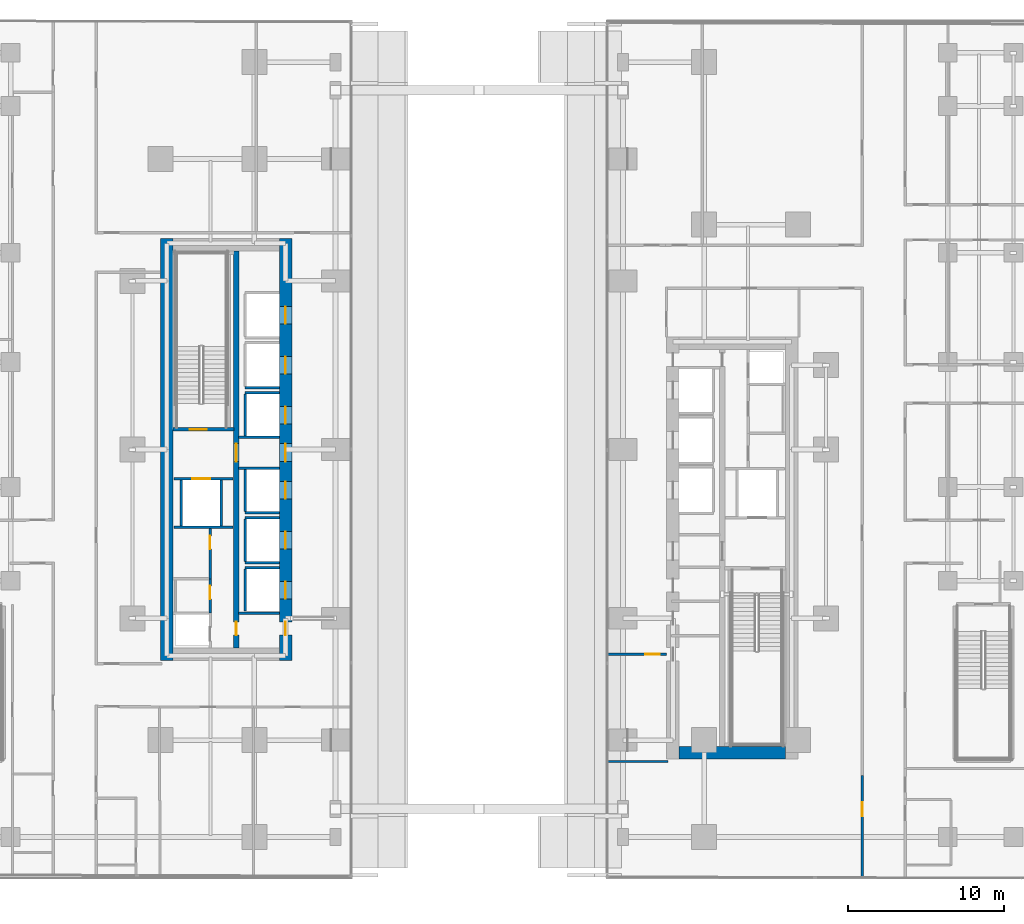
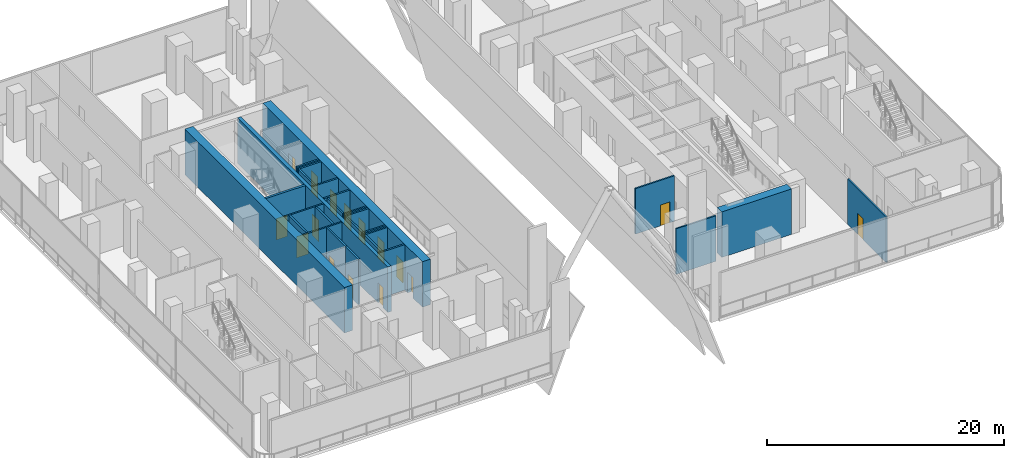
# One storey, part 7 of 31: 27 walls, 16 doors, 16 openings.
"""IFC4 building model written with IfcOpenShell, lengths in metres."""

import ifcopenshell
import ifcopenshell.guid

model = None  # the IFC model being written
_history = None  # IfcOwnerHistory: only IFC2X3 demands one
_inside = {}  # id of a spatial element -> (the spatial element, [elements in it])
_under = {}  # id of a project, library or spatial element -> (it, [spatial elements below it])
_declared = {}  # id of a project -> (the project, [libraries it declares])
_typed = {}  # id of a type object -> (the type object, [elements of that type])
_made_of = {}  # id of a material, layer set ... -> (it, [elements and type objects made of it])


def new_model(schema):
    """Start an empty IFC model of exactly this schema.

    Asked for "IFC4X3", IfcOpenShell would pick the latest addendum, in which some entities
    have other attributes; the version numbers below select the first issue.
    IFC2X3 requires an IfcOwnerHistory on every rooted entity: one is made here for all.
    """
    global model, _history
    if schema == "IFC4X3":
        model = ifcopenshell.file(schema_version=(4, 3, 0, 0))
    else:
        model = ifcopenshell.file(schema=schema)
    _inside.clear()
    _under.clear()
    _declared.clear()
    _typed.clear()
    _made_of.clear()
    _history = None
    if model.schema == "IFC2X3":
        org = make("IfcOrganization", Name="unknown")
        user = make(
            "IfcPersonAndOrganization",
            ThePerson=make("IfcPerson", FamilyName="unknown"),
            TheOrganization=org,
        )
        app = make(
            "IfcApplication",
            ApplicationDeveloper=org,
            Version="unknown",
            ApplicationFullName="unknown",
            ApplicationIdentifier="unknown",
        )
        _history = make(
            "IfcOwnerHistory",
            OwningUser=user,
            OwningApplication=app,
            ChangeAction="ADDED",
            CreationDate=0,
        )
    return model


def make(cls, **values):
    """One entity of the class cls with the attributes given. An attribute that is None is left unset."""
    return model.create_entity(
        cls, **{name: value for name, value in values.items() if value is not None}
    )


def rooted(cls, **values):
    """An entity with a GlobalId (a new one), such as an element, a storey or a relation."""
    return make(cls, GlobalId=ifcopenshell.guid.new(), OwnerHistory=_history, **values)


def si_unit(unit_type, name, prefix=None):
    """IfcSIUnit, for example si_unit("LENGTHUNIT", "METRE", prefix="MILLI")."""
    return make("IfcSIUnit", UnitType=unit_type, Prefix=prefix, Name=name)


def assignment(units):
    """IfcUnitAssignment: the units of a project."""
    return None if units is None else make("IfcUnitAssignment", Units=units)


def point(xyz):
    """IfcCartesianPoint."""
    return None if xyz is None else make("IfcCartesianPoint", Coordinates=xyz)


def direction(xyz):
    """IfcDirection."""
    return None if xyz is None else make("IfcDirection", DirectionRatios=xyz)


def frame(location, z_axis=None, x_axis=None):
    """IfcAxis2Placement3D, a coordinate frame: its origin and axes. An axis left out is left unset."""
    return make(
        "IfcAxis2Placement3D",
        Location=point(location),
        Axis=direction(z_axis),
        RefDirection=direction(x_axis),
    )


def frame_2d(location, x_axis=None):
    """IfcAxis2Placement2D, a coordinate frame in the plane: its origin and x axis."""
    return make(
        "IfcAxis2Placement2D", Location=point(location), RefDirection=direction(x_axis)
    )


def origin():
    """The frame at (0, 0, 0) with its axes left unset."""
    return frame((0.0, 0.0, 0.0))


def place(relative_to, where):
    """IfcLocalPlacement: puts the frame where relative to a parent placement (None: the world)."""
    return make(
        "IfcLocalPlacement", PlacementRelTo=relative_to, RelativePlacement=where
    )


def context(
    kind, dimensions, precision=None, world=None, true_north=None, identifier=None
):
    """IfcGeometricRepresentationContext, for example the 3D "Model" context."""
    return make(
        "IfcGeometricRepresentationContext",
        ContextIdentifier=identifier,
        ContextType=kind,
        CoordinateSpaceDimension=dimensions,
        Precision=precision,
        WorldCoordinateSystem=world,
        TrueNorth=true_north,
    )


def subcontext(parent, identifier, kind, view, scale=None):
    """IfcGeometricRepresentationSubContext, for example "Body" below "Model"."""
    return make(
        "IfcGeometricRepresentationSubContext",
        ContextIdentifier=identifier,
        ContextType=kind,
        ParentContext=parent,
        TargetScale=scale,
        TargetView=view,
    )


def project(units=None, contexts=None):
    """IfcProject with its units and contexts."""
    return rooted(
        "IfcProject",
        Name="project",
        RepresentationContexts=contexts,
        UnitsInContext=assignment(units),
    )


def spatial(cls, under=None, at=None, **own):
    """A site, building, storey or space (cls), placed at a placement, below another one or the project."""
    s = rooted(cls, ObjectPlacement=at, **own)
    if under is not None:
        _under.setdefault(under.id(), (under, []))[1].append(s)
    return s


def profile(cls, at=None, kind="AREA", **sizes):
    """A parametric profile (cls). Its sizes go by their IFC names, for example OverallWidth=200.0."""
    return make(cls, ProfileType=kind, Position=at, **sizes)


def rectangle(**sizes):
    """IfcRectangleProfileDef."""
    return profile("IfcRectangleProfileDef", **sizes)


def extrude(swept, where, along, depth):
    """IfcExtrudedAreaSolid: the profile swept, set in the frame where, extruded along a direction by depth."""
    return make(
        "IfcExtrudedAreaSolid",
        SweptArea=swept,
        Position=where,
        ExtrudedDirection=direction(along),
        Depth=depth,
    )


def shape(context_of_items, identifier, shape_type, items):
    """IfcShapeRepresentation: the items that make up one representation, for example the "Body"."""
    return make(
        "IfcShapeRepresentation",
        ContextOfItems=context_of_items,
        RepresentationIdentifier=identifier,
        RepresentationType=shape_type,
        Items=items,
    )


def material(Name=None, Category=None):
    """IfcMaterial."""
    return make("IfcMaterial", Name=Name, Category=Category)


def layer(
    of_material, thickness, ventilated=None, Name=None, Category=None, Priority=None
):
    """IfcMaterialLayer: one layer of a wall or slab, of a material (None: an air gap)."""
    return make(
        "IfcMaterialLayer",
        Material=of_material,
        LayerThickness=thickness,
        IsVentilated=ventilated,
        Name=Name,
        Category=Category,
        Priority=Priority,
    )


def layer_set(layers, Name=None):
    """IfcMaterialLayerSet."""
    return make("IfcMaterialLayerSet", MaterialLayers=layers, LayerSetName=Name)


def made_of(thing, what):
    """Note that an element or type object is made of a material, layer set ...; save() writes the relation."""
    if what is not None:
        _made_of.setdefault(what.id(), (what, []))[1].append(thing)
    return thing


def type_object(cls, material=None, **own):
    """A type object (cls), such as IfcWallType, which elements share."""
    return made_of(rooted(cls, **own), material)


def element(
    cls,
    number,
    at=None,
    inside=None,
    cuts=None,
    type_object=None,
    material=None,
    context=None,
    identifier="Body",
    shape_type=None,
    held_by="IfcProductDefinitionShape",
    body=None,
    shapes=None,
    **own,
):
    """One element of the class cls, such as IfcWall. Its Tag is "e" and its number.

    at: its placement. inside: the storey or other place that contains it. cuts: it is an
    opening in that element (IfcRelVoidsElement). A single representation is given by context,
    identifier, shape_type and body (its items); several are given by shapes. held_by: the class
    of the entity that holds the representations. save() writes the other relations.
    """
    e = rooted(cls, Tag="e%d" % number, ObjectPlacement=at, **own)
    if body is not None:
        shapes = [shape(context, identifier, shape_type, body)]
    if shapes is not None:
        e.Representation = make(held_by, Representations=shapes)
    if inside is not None:
        _inside.setdefault(inside.id(), (inside, []))[1].append(e)
    if cuts is not None:
        rooted(
            "IfcRelVoidsElement", RelatingBuildingElement=cuts, RelatedOpeningElement=e
        )
    if type_object is not None:
        _typed.setdefault(type_object.id(), (type_object, []))[1].append(e)
    return made_of(e, material)


def fill(opening, filler):
    """IfcRelFillsElement: the door or window that sits in an opening."""
    return rooted(
        "IfcRelFillsElement",
        RelatingOpeningElement=opening,
        RelatedBuildingElement=filler,
    )


def aggregate(whole, parts):
    """IfcRelAggregates: a whole, such as a stair, and the parts it consists of."""
    return rooted("IfcRelAggregates", RelatingObject=whole, RelatedObjects=parts)


def save(model, path):
    """Write the relations noted so far, then the file.

    IfcRelAggregates (storeys below a building ...), IfcRelContainedInSpatialStructure (elements
    in a storey), IfcRelDefinesByType, IfcRelAssociatesMaterial and IfcRelDeclares: one each for
    every whole, place, type object, material and project.
    """
    for whole, parts in _under.values():
        aggregate(whole, parts)
    for where, things in _inside.values():
        rooted(
            "IfcRelContainedInSpatialStructure",
            RelatedElements=things,
            RelatingStructure=where,
        )
    for kind, things in _typed.values():
        rooted("IfcRelDefinesByType", RelatedObjects=things, RelatingType=kind)
    for what, things in _made_of.values():
        rooted("IfcRelAssociatesMaterial", RelatedObjects=things, RelatingMaterial=what)
    for by, libraries in _declared.values():
        rooted("IfcRelDeclares", RelatingContext=by, RelatedDefinitions=libraries)
    model.write(path)


model = new_model("IFC4")

# Units and contexts
model_context = context("Model", 3, precision=1e-05, world=origin(), true_north=direction((0.0, 1.0)))
body_context = subcontext(model_context, "Body", "Model", "MODEL_VIEW")
ifc_project = project(units=[si_unit("LENGTHUNIT", "METRE"), si_unit("AREAUNIT", "SQUARE_METRE"), si_unit("VOLUMEUNIT", "CUBIC_METRE"), si_unit("PLANEANGLEUNIT", "RADIAN"), si_unit("MASSUNIT", "GRAM", prefix="KILO")], contexts=[model_context])

# Site, building, storey
site_placement = place(None, origin())
site = spatial("IfcSite", under=ifc_project, at=site_placement, CompositionType="ELEMENT")
building_placement = place(site_placement, origin())
building = spatial("IfcBuilding", under=site, at=building_placement, Name="Khairoan Windgate Tower", CompositionType="ELEMENT")
storey_placement = place(building_placement, frame((0.0, 0.0, 6.0)))
storey = spatial("IfcBuildingStorey", under=building, at=storey_placement, Name="L02", CompositionType="ELEMENT", Elevation=6.0)

# Walls
ifc_material_1 = material(Name="Concrete C40/50", Category="concrete")
ifc_layer_1 = layer(ifc_material_1, 0.159912109375, Name="Concrete C40/50")
ifc_layer_set_1 = layer_set([ifc_layer_1], Name="Concrete C40/50")
wall_type_1 = type_object("IfcWallType", Name="Core and Hoistway Enclosure Wall", PredefinedType="STANDARD", material=ifc_layer_set_1)
for number, where, z_axis, x_axis, name in (
    (1, (-14.989990234375, 3.9599609375, 0.0), (0.0, 0.0, 1.0), (1.0, 0.0, 0.0), "L02 Lift PL2 Hoistway Divider S"),
    (2, (-14.989990234375, 3.639892578125, 0.0), (0.0, 0.0, 1.0), (1.0, 0.0, 0.0), "L02 Lift PL3 Hoistway Divider N"),
):
    element("IfcWall", number, at=place(storey_placement, frame(where, z_axis=z_axis, x_axis=x_axis)), inside=storey, type_object=wall_type_1, Name=name, PredefinedType="STANDARD", context=body_context, shape_type="SweptSolid", body=[
        extrude(rectangle(XDim=2.18994140625, YDim=0.159912109375, at=frame_2d((1.094970703125, 0.0))), origin(), (0.0, 0.0, 1.0), 4.699951171875),
    ])
wall_1_placement = place(storey_placement, frame((-14.989990234375, 0.85009765625, 0.0), z_axis=(0.0, 0.0, 1.0), x_axis=(0.0, 1.0, 0.0)))
element("IfcWall", 3, at=wall_1_placement, inside=storey, type_object=wall_type_1, Name="L02 Lift PL3 Hoistway Back Wall", PredefinedType="STANDARD", context=body_context, shape_type="SweptSolid", body=[
    extrude(rectangle(XDim=2.699951171875, YDim=0.159912109375, at=frame_2d((1.35009765625, 0.0))), origin(), (0.0, 0.0, 1.0), 4.699951171875),
])
wall_2_placement = place(storey_placement, frame((-14.989990234375, -4.0400390625, 0.0), z_axis=(0.0, 0.0, 1.0), x_axis=(1.0, 0.0, 0.0)))
element("IfcWall", 4, at=wall_2_placement, inside=storey, type_object=wall_type_1, Name="L02 Lift PL4 Hoistway Divider S", PredefinedType="STANDARD", context=body_context, shape_type="SweptSolid", body=[
    extrude(rectangle(XDim=2.18994140625, YDim=0.159912109375, at=frame_2d((1.094970703125, 0.0))), origin(), (0.0, 0.0, 1.0), 4.699951171875),
])
wall_3_placement = place(storey_placement, frame((-14.989990234375, -3.949951171875, 0.0), z_axis=(0.0, 0.0, 1.0), x_axis=(0.0, 1.0, 0.0)))
element("IfcWall", 5, at=wall_3_placement, inside=storey, type_object=wall_type_1, Name="L02 Lift PL4 Hoistway Back Wall", PredefinedType="STANDARD", context=body_context, shape_type="SweptSolid", body=[
    extrude(rectangle(XDim=2.699951171875, YDim=0.159912109375, at=frame_2d((1.35009765625, 0.0))), origin(), (0.0, 0.0, 1.0), 4.699951171875),
])
for number, where, z_axis, x_axis, name in (
    (6, (-14.989990234375, -7.239990234375, 0.0), (0.0, 0.0, 1.0), (1.0, 0.0, 0.0), "L02 Lift PL5 Hoistway Divider S"),
    (7, (-14.989990234375, -4.360107421875, 0.0), (0.0, 0.0, 1.0), (1.0, 0.0, 0.0), "L02 Lift PL5 Hoistway Divider N"),
):
    element("IfcWall", number, at=place(storey_placement, frame(where, z_axis=z_axis, x_axis=x_axis)), inside=storey, type_object=wall_type_1, Name=name, PredefinedType="STANDARD", context=body_context, shape_type="SweptSolid", body=[
        extrude(rectangle(XDim=2.18994140625, YDim=0.159912109375, at=frame_2d((1.094970703125, 0.0))), origin(), (0.0, 0.0, 1.0), 4.699951171875),
    ])
wall_4_placement = place(storey_placement, frame((-14.989990234375, -7.14990234375, 0.0), z_axis=(0.0, 0.0, 1.0), x_axis=(0.0, 1.0, 0.0)))
element("IfcWall", 8, at=wall_4_placement, inside=storey, type_object=wall_type_1, Name="L02 Lift PL5 Hoistway Back Wall", PredefinedType="STANDARD", context=body_context, shape_type="SweptSolid", body=[
    extrude(rectangle(XDim=2.699951171875, YDim=0.159912109375, at=frame_2d((1.35009765625, 0.0))), origin(), (0.0, 0.0, 1.0), 4.699951171875),
])
wall_5_placement = place(storey_placement, frame((-14.989990234375, -7.56005859375, 0.0), z_axis=(0.0, 0.0, 1.0), x_axis=(1.0, 0.0, 0.0)))
element("IfcWall", 9, at=wall_5_placement, inside=storey, type_object=wall_type_1, Name="L02 Lift PL6 Hoistway Divider N", PredefinedType="STANDARD", context=body_context, shape_type="SweptSolid", body=[
    extrude(rectangle(XDim=2.18994140625, YDim=0.159912109375, at=frame_2d((1.094970703125, 0.0))), origin(), (0.0, 0.0, 1.0), 4.699951171875),
])
wall_6_placement = place(storey_placement, frame((-14.989990234375, -10.35009765625, 0.0), z_axis=(0.0, 0.0, 1.0), x_axis=(0.0, 1.0, 0.0)))
element("IfcWall", 10, at=wall_6_placement, inside=storey, type_object=wall_type_1, Name="L02 Lift PL6 Hoistway Back Wall", PredefinedType="STANDARD", context=body_context, shape_type="SweptSolid", body=[
    extrude(rectangle(XDim=2.7001953125, YDim=0.159912109375, at=frame_2d((1.35009765625, 0.0))), origin(), (0.0, 0.0, 1.0), 4.699951171875),
])

# Wall, opening, door
wall_7_placement = place(storey_placement, frame((-19.550048828125, -1.860107421875, 0.0), z_axis=(0.0, 0.0, 1.0), x_axis=(1.0, 0.0, 0.0)))
wall_7 = element("IfcWall", 11, at=wall_7_placement, inside=storey, type_object=wall_type_1, Name="L02 Core Shaft Wall SW-FL2-L02", PredefinedType="STANDARD", context=body_context, shape_type="SweptSolid", body=[
    extrude(rectangle(XDim=3.800048828125, YDim=0.159912109375, at=frame_2d((1.89990234375, 0.0))), origin(), (0.0, 0.0, 1.0), 4.699951171875),
])
opening_1_placement = place(wall_7_placement, frame((1.179931640625, 0.0, 0.0)))
opening_1 = element("IfcOpeningElement", 12, at=opening_1_placement, cuts=wall_7, Name="Opening LD-FL", PredefinedType="OPENING", context=body_context, shape_type="SweptSolid", body=[
    extrude(rectangle(XDim=1.14990234375, YDim=2.199951171875, at=frame_2d((0.574951171875, 1.10009765625))), frame((0.0, 0.08984375, 0.0), z_axis=(0.0, -1.0, 0.0), x_axis=(1.0, 0.0, 0.0)), (0.0, 0.0, 1.0), 0.179931640625),
])
ifc_material_2 = material(Name="Steel S355", Category="steel")
door_type_1 = type_object("IfcDoorType", Name="Firefighting Lift Sliding Landing Door LD-FL 1150x2200", OperationType="DOUBLE_DOOR_SLIDING", PredefinedType="DOOR", material=ifc_material_2)
door_1_placement = place(opening_1_placement, origin())
door_1 = element("IfcDoor", 13, at=door_1_placement, inside=storey, type_object=door_type_1, Name="L02 Firefighting Lift FL2 Landing Door", OperationType="DOUBLE_DOOR_SLIDING", OverallHeight=2.199951171875, OverallWidth=1.14990234375, PredefinedType="DOOR", context=body_context, shape_type="SweptSolid", body=[
    extrude(rectangle(XDim=1.14990234375, YDim=2.199951171875, at=frame_2d((0.574951171875, 1.10009765625))), frame((0.0, 0.02490234375, 0.0), z_axis=(0.0, -1.0, 0.0), x_axis=(1.0, 0.0, 0.0)), (0.0, 0.0, 1.0), 0.050048828125),
])
fill(opening_1, door_1)

# Walls
wall_8_placement = place(storey_placement, frame((-19.550048828125, -4.97998046875, 0.0), z_axis=(0.0, 0.0, 1.0), x_axis=(1.0, 0.0, 0.0)))
element("IfcWall", 14, at=wall_8_placement, inside=storey, type_object=wall_type_1, Name="L02 Core Shaft Wall SW-FL2B-L02", PredefinedType="STANDARD", context=body_context, shape_type="SweptSolid", body=[
    extrude(rectangle(XDim=3.800048828125, YDim=0.159912109375, at=frame_2d((1.89990234375, 0.0))), origin(), (0.0, 0.0, 1.0), 4.699951171875),
])
for number, where, z_axis, x_axis, name in (
    (15, (-19.080078125, -4.89990234375, 0.0), (0.0, 0.0, 1.0), (0.0, 1.0, 0.0), "L02 Core Shaft Wall SW-FL2W-L02"),
    (16, (-16.52001953125, -4.89990234375, 0.0), (0.0, 0.0, 1.0), (0.0, 1.0, 0.0), "L02 Core Shaft Wall SW-FL2E-L02"),
):
    element("IfcWall", number, at=place(storey_placement, frame(where, z_axis=z_axis, x_axis=x_axis)), inside=storey, type_object=wall_type_1, Name=name, PredefinedType="STANDARD", context=body_context, shape_type="SweptSolid", body=[
        extrude(rectangle(XDim=2.9599609375, YDim=0.159912109375, at=frame_2d((1.47998046875, 0.0))), origin(), (0.0, 0.0, 1.0), 4.699951171875),
    ])
for number, where, z_axis, x_axis, name in (
    (17, (-15.39990234375, 0.800048828125, 0.0), (0.0, 0.0, 1.0), (1.0, 0.0, 0.0), "L02 Core Shaft Wall SW-WV1-L02"),
    (18, (-15.39990234375, -1.199951171875, 0.0), (0.0, 0.0, 1.0), (1.0, 0.0, 0.0), "L02 Core Shaft Wall SW-WV2-L02"),
    (19, (-15.39990234375, -10.47998046875, 0.0), (0.0, 0.0, 1.0), (1.0, 0.0, 0.0), "L02 Core Shaft Wall SW-WSV-L02"),
):
    element("IfcWall", number, at=place(storey_placement, frame(where, z_axis=z_axis, x_axis=x_axis)), inside=storey, type_object=wall_type_1, Name=name, PredefinedType="STANDARD", context=body_context, shape_type="SweptSolid", body=[
        extrude(rectangle(XDim=2.599853515625, YDim=0.159912109375, at=frame_2d((1.2998046875, 0.0))), origin(), (0.0, 0.0, 1.0), 4.699951171875),
    ])
ifc_material_3 = material(Name="Acoustic Fire-Rated Gypsum Partition", Category="gypsum")
ifc_layer_2 = layer(ifc_material_3, 0.139892578125, Name="Acoustic Fire-Rated Gypsum Partition")
ifc_layer_set_2 = layer_set([ifc_layer_2], Name="Acoustic Fire-Rated Gypsum Partition")
wall_type_2 = type_object("IfcWallType", Name="Inter-Tenancy Compartment Wall", PredefinedType="PARTITIONING", material=ifc_layer_set_2)
wall_9_placement = place(storey_placement, frame((8.205078125, -19.9599609375, 0.0), z_axis=(0.0, 0.0, 1.0), x_axis=(1.0, 0.0, 0.0)))
element("IfcWall", 20, at=wall_9_placement, inside=storey, type_object=wall_type_2, Name="L02 Interior Partition 078", PredefinedType="PARTITIONING", context=body_context, shape_type="SweptSolid", body=[
    extrude(rectangle(XDim=3.885009765625, YDim=0.139892578125, at=frame_2d((1.9423828125, 0.0))), origin(), (0.0, 0.0, 1.0), 4.699951171875),
])

# Wall, opening, door
ifc_material_4 = material(Name="Concrete C40/50", Category="concrete")
ifc_layer_3 = layer(ifc_material_4, 0.159912109375, Name="Concrete C40/50")
ifc_layer_set_3 = layer_set([ifc_layer_3], Name="Concrete C40/50")
wall_type_3 = type_object("IfcWallType", Name="Plant and Refuge Compartment Wall", PredefinedType="PARTITIONING", material=ifc_layer_set_3)
wall_10_placement = place(storey_placement, frame((-17.22998046875, -10.469970703125, 0.0), z_axis=(0.0, 0.0, 1.0), x_axis=(0.0, 1.0, 0.0)))
wall_10 = element("IfcWall", 21, at=wall_10_placement, inside=storey, type_object=wall_type_3, Name="L02 Interior Partition 002", PredefinedType="PARTITIONING", context=body_context, shape_type="SweptSolid", body=[
    extrude(rectangle(XDim=2.199951171875, YDim=0.159912109375, at=frame_2d((1.10009765625, 0.0))), origin(), (0.0, 0.0, 1.0), 4.699951171875),
])
opening_2_placement = place(wall_10_placement, frame((0.889892578125, 0.0, 0.0)))
opening_2 = element("IfcOpeningElement", 22, at=opening_2_placement, cuts=wall_10, Name="Opening FD-SRV", PredefinedType="OPENING", context=body_context, shape_type="SweptSolid", body=[
    extrude(rectangle(XDim=0.85009765625, YDim=2.10009765625, at=frame_2d((0.425048828125, 1.050048828125))), frame((0.0, 0.08984375, 0.0), z_axis=(0.0, -1.0, 0.0), x_axis=(1.0, 0.0, 0.0)), (0.0, 0.0, 1.0), 0.179931640625),
])
ifc_material_5 = material(Name="Steel S355", Category="steel")
door_type_2 = type_object("IfcDoorType", Name="Core Service and Riser Fire Door FD-SRV 850x2100", OperationType="NOTDEFINED", PredefinedType="DOOR", material=ifc_material_5)
door_2_placement = place(opening_2_placement, origin())
door_2 = element("IfcDoor", 23, at=door_2_placement, inside=storey, type_object=door_type_2, Name="L02 L02-04-L02-06 Door", OperationType="SINGLE_SWING_LEFT", OverallHeight=2.10009765625, OverallWidth=0.85009765625, PredefinedType="DOOR", context=body_context, shape_type="SweptSolid", body=[
    extrude(rectangle(XDim=0.85009765625, YDim=2.10009765625, at=frame_2d((0.425048828125, 1.050048828125))), frame((0.0, 0.02490234375, 0.0), z_axis=(0.0, -1.0, 0.0), x_axis=(1.0, 0.0, 0.0)), (0.0, 0.0, 1.0), 0.050048828125),
])
fill(opening_2, door_2)

wall_11_placement = place(storey_placement, frame((-17.22998046875, -8.27001953125, 0.0), z_axis=(0.0, 0.0, 1.0), x_axis=(0.0, 1.0, 0.0)))
wall_11 = element("IfcWall", 24, at=wall_11_placement, inside=storey, type_object=wall_type_3, Name="L02 Interior Partition 003", PredefinedType="PARTITIONING", context=body_context, shape_type="SweptSolid", body=[
    extrude(rectangle(XDim=3.2099609375, YDim=0.159912109375, at=frame_2d((1.60498046875, 0.0))), origin(), (0.0, 0.0, 1.0), 4.699951171875),
])
opening_3_placement = place(wall_11_placement, frame((1.89990234375, 0.0, 0.0)))
opening_3 = element("IfcOpeningElement", 25, at=opening_3_placement, cuts=wall_11, Name="Opening FD-SRV", PredefinedType="OPENING", context=body_context, shape_type="SweptSolid", body=[
    extrude(rectangle(XDim=0.85009765625, YDim=2.10009765625, at=frame_2d((0.425048828125, 1.050048828125))), frame((0.0, 0.08984375, 0.0), z_axis=(0.0, -1.0, 0.0), x_axis=(1.0, 0.0, 0.0)), (0.0, 0.0, 1.0), 0.179931640625),
])
door_3_placement = place(opening_3_placement, origin())
door_3 = element("IfcDoor", 26, at=door_3_placement, inside=storey, type_object=door_type_2, Name="L02 L02-04-L02-07 Door", OperationType="SINGLE_SWING_RIGHT", OverallHeight=2.10009765625, OverallWidth=0.85009765625, PredefinedType="DOOR", context=body_context, shape_type="SweptSolid", body=[
    extrude(rectangle(XDim=0.85009765625, YDim=2.10009765625, at=frame_2d((0.425048828125, 1.050048828125))), frame((0.0, 0.02490234375, 0.0), z_axis=(0.0, -1.0, 0.0), x_axis=(1.0, 0.0, 0.0)), (0.0, 0.0, 1.0), 0.050048828125),
])
fill(opening_3, door_3)

ifc_material_6 = material(Name="Acoustic Fire-Rated Gypsum Partition", Category="gypsum")
ifc_layer_4 = layer(ifc_material_6, 0.14990234375, Name="Acoustic Fire-Rated Gypsum Partition")
ifc_layer_set_4 = layer_set([ifc_layer_4], Name="Acoustic Fire-Rated Gypsum Partition")
wall_type_4 = type_object("IfcWallType", Name="Rated Corridor Partition Wall", PredefinedType="PARTITIONING", material=ifc_layer_set_4)
wall_12_placement = place(storey_placement, frame((8.205078125, -13.10009765625, 0.0), z_axis=(0.0, 0.0, 1.0), x_axis=(1.0, 0.0, 0.0)))
wall_12 = element("IfcWall", 27, at=wall_12_placement, inside=storey, type_object=wall_type_4, Name="L02 Interior Partition 041", PredefinedType="PARTITIONING", context=body_context, shape_type="SweptSolid", body=[
    extrude(rectangle(XDim=3.794921875, YDim=0.14990234375, at=frame_2d((1.8974609375, 0.0))), origin(), (0.0, 0.0, 1.0), 4.699951171875),
])
opening_4_placement = place(wall_12_placement, frame((2.43505859375, 0.0, 0.0)))
opening_4 = element("IfcOpeningElement", 28, at=opening_4_placement, cuts=wall_12, Name="Opening FD-ENT", PredefinedType="OPENING", context=body_context, shape_type="SweptSolid", body=[
    extrude(rectangle(XDim=0.89990234375, YDim=2.14990234375, at=frame_2d((0.449951171875, 1.074951171875))), frame((0.0, 0.0849609375, 0.0), z_axis=(0.0, -1.0, 0.0), x_axis=(1.0, 0.0, 0.0)), (0.0, 0.0, 1.0), 0.169921875),
])
ifc_material_7 = material(Name="Timber Fire-Rated Core", Category="wood")
door_type_3 = type_object("IfcDoorType", Name="Unit and Office Fire Entrance Door FD-ENT 900x2150", OperationType="NOTDEFINED", PredefinedType="DOOR", material=ifc_material_7)
door_4_placement = place(opening_4_placement, origin())
door_4 = element("IfcDoor", 29, at=door_4_placement, inside=storey, type_object=door_type_3, Name="L02 L02-42-L02-73 Door", OperationType="SINGLE_SWING_RIGHT", OverallHeight=2.14990234375, OverallWidth=0.89990234375, PredefinedType="DOOR", context=body_context, shape_type="SweptSolid", body=[
    extrude(rectangle(XDim=0.89990234375, YDim=2.14990234375, at=frame_2d((0.449951171875, 1.074951171875))), frame((0.0, 0.02490234375, 0.0), z_axis=(0.0, -1.0, 0.0), x_axis=(1.0, 0.0, 0.0)), (0.0, 0.0, 1.0), 0.050048828125),
])
fill(opening_4, door_4)

wall_13_placement = place(storey_placement, frame((24.52001953125, -27.41259765625, 0.0), z_axis=(0.0, 0.0, 1.0), x_axis=(0.0, 1.0, 0.0)))
wall_13 = element("IfcWall", 30, at=wall_13_placement, inside=storey, type_object=wall_type_4, Name="L02 Interior Partition 048", PredefinedType="PARTITIONING", context=body_context, shape_type="SweptSolid", body=[
    extrude(rectangle(XDim=6.53271484375, YDim=0.14990234375, at=frame_2d((3.266357421875, 0.0))), origin(), (0.0, 0.0, 1.0), 4.699951171875),
])
opening_5_placement = place(wall_13_placement, frame((3.943115234375, 0.0, 0.0)))
opening_5 = element("IfcOpeningElement", 31, at=opening_5_placement, cuts=wall_13, Name="Opening FD-ENT", PredefinedType="OPENING", context=body_context, shape_type="SweptSolid", body=[
    extrude(rectangle(XDim=0.89990234375, YDim=2.14990234375, at=frame_2d((0.449951171875, 1.074951171875))), frame((0.0, 0.0849609375, 0.0), z_axis=(0.0, -1.0, 0.0), x_axis=(1.0, 0.0, 0.0)), (0.0, 0.0, 1.0), 0.169921875),
])
door_5_placement = place(opening_5_placement, origin())
door_5 = element("IfcDoor", 32, at=door_5_placement, inside=storey, type_object=door_type_3, Name="L02 L02-43-L02-65 Door", OperationType="SINGLE_SWING_LEFT", OverallHeight=2.14990234375, OverallWidth=0.89990234375, PredefinedType="DOOR", context=body_context, shape_type="SweptSolid", body=[
    extrude(rectangle(XDim=0.89990234375, YDim=2.14990234375, at=frame_2d((0.449951171875, 1.074951171875))), frame((0.0, 0.02490234375, 0.0), z_axis=(0.0, -1.0, 0.0), x_axis=(1.0, 0.0, 0.0)), (0.0, 0.0, 1.0), 0.050048828125),
])
fill(opening_5, door_5)

# Walls
ifc_material_8 = material(Name="Concrete C70/85", Category="concrete")
ifc_layer_5 = layer(ifc_material_8, 0.800048828125, Name="Concrete C70/85")
ifc_layer_set_5 = layer_set([ifc_layer_5], Name="Concrete C70/85")
wall_type_5 = type_object("IfcWallType", Name="Shear Wall CW-E1 800mm", PredefinedType="SHEAR", material=ifc_layer_set_5)
wall_14_placement = place(storey_placement, frame((12.800048828125, -19.39990234375, 0.0), z_axis=(0.0, 0.0, 1.0), x_axis=(1.0, 0.0, 0.0)))
element("IfcWall", 33, at=wall_14_placement, inside=storey, type_object=wall_type_5, Name="E Core South Shear Wall L02", PredefinedType="SHEAR", context=body_context, shape_type="SweptSolid", body=[
    extrude(rectangle(XDim=6.800048828125, YDim=0.800048828125, at=frame_2d((3.39990234375, 0.0))), origin(), (0.0, 0.0, 1.0), 4.699951171875),
])
ifc_material_9 = material(Name="Concrete C70/85", Category="concrete")
ifc_layer_6 = layer(ifc_material_9, 0.800048828125, Name="Concrete C70/85")
ifc_layer_set_6 = layer_set([ifc_layer_6], Name="Concrete C70/85")
wall_type_6 = type_object("IfcWallType", Name="Shear Wall CW-W1 800mm", PredefinedType="SHEAR", material=ifc_layer_set_6)
wall_15_placement = place(storey_placement, frame((-20.0, -13.5, 0.0), z_axis=(0.0, 0.0, 1.0), x_axis=(0.0, 1.0, 0.0)))
element("IfcWall", 34, at=wall_15_placement, inside=storey, type_object=wall_type_6, Name="W Core West Shear Wall L02", PredefinedType="SHEAR", context=body_context, shape_type="SweptSolid", body=[
    extrude(rectangle(XDim=27.0, YDim=0.800048828125, at=frame_2d((13.5, 0.0))), origin(), (0.0, 0.0, 1.0), 4.699951171875),
])

# Wall, openings, doors
wall_16_placement = place(storey_placement, frame((-12.39990234375, -13.5, 0.0), z_axis=(0.0, 0.0, 1.0), x_axis=(0.0, 1.0, 0.0)))
wall_16 = element("IfcWall", 35, at=wall_16_placement, inside=storey, type_object=wall_type_6, Name="W Core East Shear Wall L02", PredefinedType="SHEAR", context=body_context, shape_type="SweptSolid", body=[
    extrude(rectangle(XDim=27.0, YDim=0.800048828125, at=frame_2d((13.5, 0.0))), origin(), (0.0, 0.0, 1.0), 4.699951171875),
])
opening_6_placement = place(wall_16_placement, frame((21.550048828125, 0.0, 0.0)))
opening_6 = element("IfcOpeningElement", 36, at=opening_6_placement, cuts=wall_16, Name="Opening LD-PL", PredefinedType="OPENING", context=body_context, shape_type="SweptSolid", body=[
    extrude(rectangle(XDim=1.10009765625, YDim=2.199951171875, at=frame_2d((0.550048828125, 1.10009765625))), frame((0.0, 0.409912109375, 0.0), z_axis=(0.0, -1.0, 0.0), x_axis=(1.0, 0.0, 0.0)), (0.0, 0.0, 1.0), 0.820068359375),
])
opening_7_placement = place(wall_16_placement, frame((18.35009765625, 0.0, 0.0)))
opening_7 = element("IfcOpeningElement", 37, at=opening_7_placement, cuts=wall_16, Name="Opening LD-PL", PredefinedType="OPENING", context=body_context, shape_type="SweptSolid", body=[
    extrude(rectangle(XDim=1.10009765625, YDim=2.199951171875, at=frame_2d((0.550048828125, 1.10009765625))), frame((0.0, 0.409912109375, 0.0), z_axis=(0.0, -1.0, 0.0), x_axis=(1.0, 0.0, 0.0)), (0.0, 0.0, 1.0), 0.820068359375),
])
opening_8_placement = place(wall_16_placement, frame((15.14990234375, 0.0, 0.0)))
opening_8 = element("IfcOpeningElement", 38, at=opening_8_placement, cuts=wall_16, Name="Opening LD-PL", PredefinedType="OPENING", context=body_context, shape_type="SweptSolid", body=[
    extrude(rectangle(XDim=1.10009765625, YDim=2.199951171875, at=frame_2d((0.550048828125, 1.10009765625))), frame((0.0, 0.409912109375, 0.0), z_axis=(0.0, -1.0, 0.0), x_axis=(1.0, 0.0, 0.0)), (0.0, 0.0, 1.0), 0.820068359375),
])
opening_9_placement = place(wall_16_placement, frame((10.35009765625, 0.0, 0.0)))
opening_9 = element("IfcOpeningElement", 39, at=opening_9_placement, cuts=wall_16, Name="Opening LD-PL", PredefinedType="OPENING", context=body_context, shape_type="SweptSolid", body=[
    extrude(rectangle(XDim=1.10009765625, YDim=2.199951171875, at=frame_2d((0.550048828125, 1.10009765625))), frame((0.0, 0.409912109375, 0.0), z_axis=(0.0, -1.0, 0.0), x_axis=(1.0, 0.0, 0.0)), (0.0, 0.0, 1.0), 0.820068359375),
])
opening_10_placement = place(wall_16_placement, frame((7.14990234375, 0.0, 0.0)))
opening_10 = element("IfcOpeningElement", 40, at=opening_10_placement, cuts=wall_16, Name="Opening LD-PL", PredefinedType="OPENING", context=body_context, shape_type="SweptSolid", body=[
    extrude(rectangle(XDim=1.10009765625, YDim=2.199951171875, at=frame_2d((0.550048828125, 1.10009765625))), frame((0.0, 0.409912109375, 0.0), z_axis=(0.0, -1.0, 0.0), x_axis=(1.0, 0.0, 0.0)), (0.0, 0.0, 1.0), 0.820068359375),
])
opening_11_placement = place(wall_16_placement, frame((3.949951171875, 0.0, 0.0)))
opening_11 = element("IfcOpeningElement", 41, at=opening_11_placement, cuts=wall_16, Name="Opening LD-PL", PredefinedType="OPENING", context=body_context, shape_type="SweptSolid", body=[
    extrude(rectangle(XDim=1.10009765625, YDim=2.199951171875, at=frame_2d((0.550048828125, 1.10009765625))), frame((0.0, 0.409912109375, 0.0), z_axis=(0.0, -1.0, 0.0), x_axis=(1.0, 0.0, 0.0)), (0.0, 0.0, 1.0), 0.820068359375),
])
opening_12_placement = place(wall_16_placement, frame((12.72509765625, 0.0, 0.0)))
opening_12 = element("IfcOpeningElement", 42, at=opening_12_placement, cuts=wall_16, Name="Opening FD-FFL", PredefinedType="OPENING", context=body_context, shape_type="SweptSolid", body=[
    extrude(rectangle(XDim=1.14990234375, YDim=2.199951171875, at=frame_2d((0.574951171875, 1.10009765625))), frame((0.0, 0.409912109375, 0.0), z_axis=(0.0, -1.0, 0.0), x_axis=(1.0, 0.0, 0.0)), (0.0, 0.0, 1.0), 0.820068359375),
])
opening_13_placement = place(wall_16_placement, frame((1.625, 0.0, 0.0)))
opening_13 = element("IfcOpeningElement", 43, at=opening_13_placement, cuts=wall_16, Name="Opening FD-SRV", PredefinedType="OPENING", context=body_context, shape_type="SweptSolid", body=[
    extrude(rectangle(XDim=0.85009765625, YDim=2.10009765625, at=frame_2d((0.425048828125, 1.050048828125))), frame((0.0, 0.409912109375, 0.0), z_axis=(0.0, -1.0, 0.0), x_axis=(1.0, 0.0, 0.0)), (0.0, 0.0, 1.0), 0.820068359375),
])
door_6_placement = place(opening_13_placement, origin())
door_6 = element("IfcDoor", 44, at=door_6_placement, inside=storey, type_object=door_type_2, Name="L02 West Core Service Vestibule Outer Door", OperationType="SINGLE_SWING_RIGHT", OverallHeight=2.10009765625, OverallWidth=0.85009765625, PredefinedType="DOOR", context=body_context, shape_type="SweptSolid", body=[
    extrude(rectangle(XDim=0.85009765625, YDim=2.10009765625, at=frame_2d((0.425048828125, 1.050048828125))), frame((0.0, 0.02490234375, 0.0), z_axis=(0.0, -1.0, 0.0), x_axis=(1.0, 0.0, 0.0)), (0.0, 0.0, 1.0), 0.050048828125),
])
fill(opening_13, door_6)
ifc_material_10 = material(Name="Steel S355", Category="steel")
door_type_4 = type_object("IfcDoorType", Name="Firefighting Lobby Fire Door FD-FFL 1150x2200", OperationType="NOTDEFINED", PredefinedType="DOOR", material=ifc_material_10)
door_7_placement = place(opening_12_placement, origin())
door_7 = element("IfcDoor", 45, at=door_7_placement, inside=storey, type_object=door_type_4, Name="L02 West Core Vestibule Entry Door", OperationType="SINGLE_SWING_RIGHT", OverallHeight=2.199951171875, OverallWidth=1.14990234375, PredefinedType="DOOR", context=body_context, shape_type="SweptSolid", body=[
    extrude(rectangle(XDim=1.14990234375, YDim=2.199951171875, at=frame_2d((0.574951171875, 1.10009765625))), frame((0.0, 0.02490234375, 0.0), z_axis=(0.0, -1.0, 0.0), x_axis=(1.0, 0.0, 0.0)), (0.0, 0.0, 1.0), 0.050048828125),
])
fill(opening_12, door_7)
ifc_material_11 = material(Name="Anodised Bronze Aluminium 6063-T6", Category="aluminium")
door_type_5 = type_object("IfcDoorType", Name="Passenger Lift Sliding Landing Door LD-PL 1100x2200", OperationType="DOUBLE_DOOR_SLIDING", PredefinedType="DOOR", material=ifc_material_11)
door_8_placement = place(opening_6_placement, origin())
door_8 = element("IfcDoor", 46, at=door_8_placement, inside=storey, type_object=door_type_5, Name="L02 Lift PL1 Sliding Landing Door", OperationType="DOUBLE_DOOR_SLIDING", OverallHeight=2.199951171875, OverallWidth=1.10009765625, PredefinedType="DOOR", context=body_context, shape_type="SweptSolid", body=[
    extrude(rectangle(XDim=1.10009765625, YDim=2.199951171875, at=frame_2d((0.550048828125, 1.10009765625))), frame((0.0, 0.02490234375, 0.0), z_axis=(0.0, -1.0, 0.0), x_axis=(1.0, 0.0, 0.0)), (0.0, 0.0, 1.0), 0.050048828125),
])
fill(opening_6, door_8)
door_9_placement = place(opening_7_placement, origin())
door_9 = element("IfcDoor", 47, at=door_9_placement, inside=storey, type_object=door_type_5, Name="L02 Lift PL2 Sliding Landing Door", OperationType="DOUBLE_DOOR_SLIDING", OverallHeight=2.199951171875, OverallWidth=1.10009765625, PredefinedType="DOOR", context=body_context, shape_type="SweptSolid", body=[
    extrude(rectangle(XDim=1.10009765625, YDim=2.199951171875, at=frame_2d((0.550048828125, 1.10009765625))), frame((0.0, 0.02490234375, 0.0), z_axis=(0.0, -1.0, 0.0), x_axis=(1.0, 0.0, 0.0)), (0.0, 0.0, 1.0), 0.050048828125),
])
fill(opening_7, door_9)
door_10_placement = place(opening_8_placement, origin())
door_10 = element("IfcDoor", 48, at=door_10_placement, inside=storey, type_object=door_type_5, Name="L02 Lift PL3 Sliding Landing Door", OperationType="DOUBLE_DOOR_SLIDING", OverallHeight=2.199951171875, OverallWidth=1.10009765625, PredefinedType="DOOR", context=body_context, shape_type="SweptSolid", body=[
    extrude(rectangle(XDim=1.10009765625, YDim=2.199951171875, at=frame_2d((0.550048828125, 1.10009765625))), frame((0.0, 0.02490234375, 0.0), z_axis=(0.0, -1.0, 0.0), x_axis=(1.0, 0.0, 0.0)), (0.0, 0.0, 1.0), 0.050048828125),
])
fill(opening_8, door_10)
door_11_placement = place(opening_9_placement, origin())
door_11 = element("IfcDoor", 49, at=door_11_placement, inside=storey, type_object=door_type_5, Name="L02 Lift PL4 Sliding Landing Door", OperationType="DOUBLE_DOOR_SLIDING", OverallHeight=2.199951171875, OverallWidth=1.10009765625, PredefinedType="DOOR", context=body_context, shape_type="SweptSolid", body=[
    extrude(rectangle(XDim=1.10009765625, YDim=2.199951171875, at=frame_2d((0.550048828125, 1.10009765625))), frame((0.0, 0.02490234375, 0.0), z_axis=(0.0, -1.0, 0.0), x_axis=(1.0, 0.0, 0.0)), (0.0, 0.0, 1.0), 0.050048828125),
])
fill(opening_9, door_11)
door_12_placement = place(opening_10_placement, origin())
door_12 = element("IfcDoor", 50, at=door_12_placement, inside=storey, type_object=door_type_5, Name="L02 Lift PL5 Sliding Landing Door", OperationType="DOUBLE_DOOR_SLIDING", OverallHeight=2.199951171875, OverallWidth=1.10009765625, PredefinedType="DOOR", context=body_context, shape_type="SweptSolid", body=[
    extrude(rectangle(XDim=1.10009765625, YDim=2.199951171875, at=frame_2d((0.550048828125, 1.10009765625))), frame((0.0, 0.02490234375, 0.0), z_axis=(0.0, -1.0, 0.0), x_axis=(1.0, 0.0, 0.0)), (0.0, 0.0, 1.0), 0.050048828125),
])
fill(opening_10, door_12)
door_13_placement = place(opening_11_placement, origin())
door_13 = element("IfcDoor", 51, at=door_13_placement, inside=storey, type_object=door_type_5, Name="L02 Lift PL6 Sliding Landing Door", OperationType="DOUBLE_DOOR_SLIDING", OverallHeight=2.199951171875, OverallWidth=1.10009765625, PredefinedType="DOOR", context=body_context, shape_type="SweptSolid", body=[
    extrude(rectangle(XDim=1.10009765625, YDim=2.199951171875, at=frame_2d((0.550048828125, 1.10009765625))), frame((0.0, 0.02490234375, 0.0), z_axis=(0.0, -1.0, 0.0), x_axis=(1.0, 0.0, 0.0)), (0.0, 0.0, 1.0), 0.050048828125),
])
fill(opening_11, door_13)

ifc_material_12 = material(Name="Concrete C60/75", Category="concrete")
ifc_layer_7 = layer(ifc_material_12, 0.35009765625, Name="Concrete C60/75")
ifc_layer_set_7 = layer_set([ifc_layer_7], Name="Concrete C60/75")
wall_type_7 = type_object("IfcWallType", Name="Shear Wall SW-1 350mm", PredefinedType="SHEAR", material=ifc_layer_set_7)
wall_17_placement = place(storey_placement, frame((-15.550048828125, -12.699951171875, 0.0), z_axis=(0.0, 0.0, 1.0), x_axis=(0.0, 1.0, 0.0)))
wall_17 = element("IfcWall", 52, at=wall_17_placement, inside=storey, type_object=wall_type_7, Name="W Core Spine Shear Wall L02", PredefinedType="SHEAR", context=body_context, shape_type="SweptSolid", body=[
    extrude(rectangle(XDim=25.39990234375, YDim=0.35009765625, at=frame_2d((12.699951171875, 0.0))), origin(), (0.0, 0.0, 1.0), 4.699951171875),
])
opening_14_placement = place(wall_17_placement, frame((11.925048828125, 0.0, 0.0)))
opening_14 = element("IfcOpeningElement", 53, at=opening_14_placement, cuts=wall_17, Name="Opening FD-FFL", PredefinedType="OPENING", context=body_context, shape_type="SweptSolid", body=[
    extrude(rectangle(XDim=1.14990234375, YDim=2.199951171875, at=frame_2d((0.574951171875, 1.10009765625))), frame((0.0, 0.18505859375, 0.0), z_axis=(0.0, -1.0, 0.0), x_axis=(1.0, 0.0, 0.0)), (0.0, 0.0, 1.0), 0.3701171875),
])
opening_15_placement = place(wall_17_placement, frame((0.824951171875, 0.0, 0.0)))
opening_15 = element("IfcOpeningElement", 54, at=opening_15_placement, cuts=wall_17, Name="Opening FD-SRV", PredefinedType="OPENING", context=body_context, shape_type="SweptSolid", body=[
    extrude(rectangle(XDim=0.85009765625, YDim=2.10009765625, at=frame_2d((0.425048828125, 1.050048828125))), frame((0.0, 0.18505859375, 0.0), z_axis=(0.0, -1.0, 0.0), x_axis=(1.0, 0.0, 0.0)), (0.0, 0.0, 1.0), 0.3701171875),
])
door_14_placement = place(opening_15_placement, origin())
door_14 = element("IfcDoor", 55, at=door_14_placement, inside=storey, type_object=door_type_2, Name="L02 West Core Service Passage Inner Door", OperationType="SINGLE_SWING_LEFT", OverallHeight=2.10009765625, OverallWidth=0.85009765625, PredefinedType="DOOR", context=body_context, shape_type="SweptSolid", body=[
    extrude(rectangle(XDim=0.85009765625, YDim=2.10009765625, at=frame_2d((0.425048828125, 1.050048828125))), frame((0.0, 0.02490234375, 0.0), z_axis=(0.0, -1.0, 0.0), x_axis=(1.0, 0.0, 0.0)), (0.0, 0.0, 1.0), 0.050048828125),
])
fill(opening_15, door_14)
door_15_placement = place(opening_14_placement, origin())
door_15 = element("IfcDoor", 56, at=door_15_placement, inside=storey, type_object=door_type_4, Name="L02 West Firefighting Lobby Fire Door", OperationType="SINGLE_SWING_LEFT", OverallHeight=2.199951171875, OverallWidth=1.14990234375, PredefinedType="DOOR", context=body_context, shape_type="SweptSolid", body=[
    extrude(rectangle(XDim=1.14990234375, YDim=2.199951171875, at=frame_2d((0.574951171875, 1.10009765625))), frame((0.0, 0.02490234375, 0.0), z_axis=(0.0, -1.0, 0.0), x_axis=(1.0, 0.0, 0.0)), (0.0, 0.0, 1.0), 0.050048828125),
])
fill(opening_14, door_15)

# Wall, opening, door
ifc_material_13 = material(Name="Concrete C50/60", Category="concrete")
ifc_layer_8 = layer(ifc_material_13, 0.219970703125, Name="Concrete C50/60")
ifc_layer_set_8 = layer_set([ifc_layer_8], Name="Concrete C50/60")
wall_type_8 = type_object("IfcWallType", Name="Shear Wall SW-ST 220mm", PredefinedType="SHEAR", material=ifc_layer_set_8)
wall_18_placement = place(storey_placement, frame((-19.6201171875, 1.2900390625, 0.0), z_axis=(0.0, 0.0, 1.0), x_axis=(1.0, 0.0, 0.0)))
wall_18 = element("IfcWall", 57, at=wall_18_placement, inside=storey, type_object=wall_type_8, Name="L02 Stair ST2 South Bearing Wall", PredefinedType="SHEAR", context=body_context, shape_type="SweptSolid", body=[
    extrude(rectangle(XDim=3.9150390625, YDim=0.219970703125, at=frame_2d((1.95751953125, 0.0))), origin(), (0.0, 0.0, 1.0), 4.699951171875),
])
opening_16_placement = place(wall_18_placement, frame((1.080078125, 0.0, 0.0)))
opening_16 = element("IfcOpeningElement", 58, at=opening_16_placement, cuts=wall_18, Name="Opening FD-ST", PredefinedType="OPENING", context=body_context, shape_type="SweptSolid", body=[
    extrude(rectangle(XDim=1.10009765625, YDim=2.199951171875, at=frame_2d((0.550048828125, 1.10009765625))), frame((0.0, 0.119873046875, 0.0), z_axis=(0.0, -1.0, 0.0), x_axis=(1.0, 0.0, 0.0)), (0.0, 0.0, 1.0), 0.239990234375),
])
ifc_material_14 = material(Name="Steel S355", Category="steel")
door_type_6 = type_object("IfcDoorType", Name="Smokeproof Stair Fire Door FD-ST 1100x2200", OperationType="NOTDEFINED", PredefinedType="DOOR", material=ifc_material_14)
door_16_placement = place(opening_16_placement, origin())
door_16 = element("IfcDoor", 59, at=door_16_placement, inside=storey, type_object=door_type_6, Name="L02 Stair ST2 Fire Door", OperationType="SINGLE_SWING_RIGHT", OverallHeight=2.199951171875, OverallWidth=1.10009765625, PredefinedType="DOOR", context=body_context, shape_type="SweptSolid", body=[
    extrude(rectangle(XDim=1.10009765625, YDim=2.199951171875, at=frame_2d((0.550048828125, 1.10009765625))), frame((0.0, 0.02490234375, 0.0), z_axis=(0.0, -1.0, 0.0), x_axis=(1.0, 0.0, 0.0)), (0.0, 0.0, 1.0), 0.050048828125),
])
fill(opening_16, door_16)

save(model, "model.ifc")
